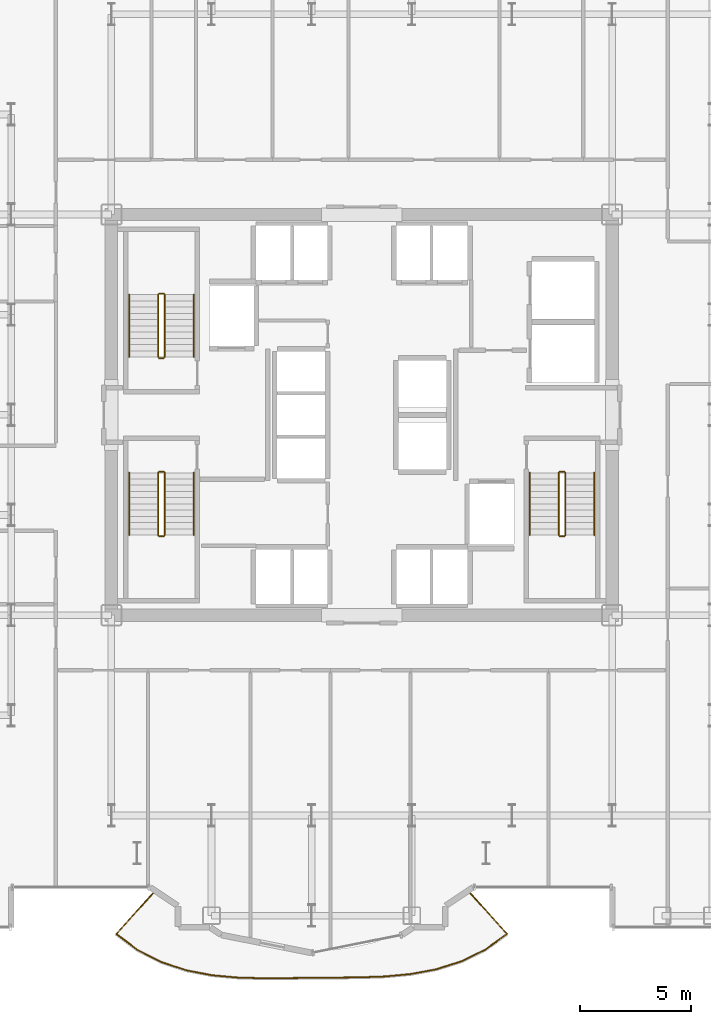
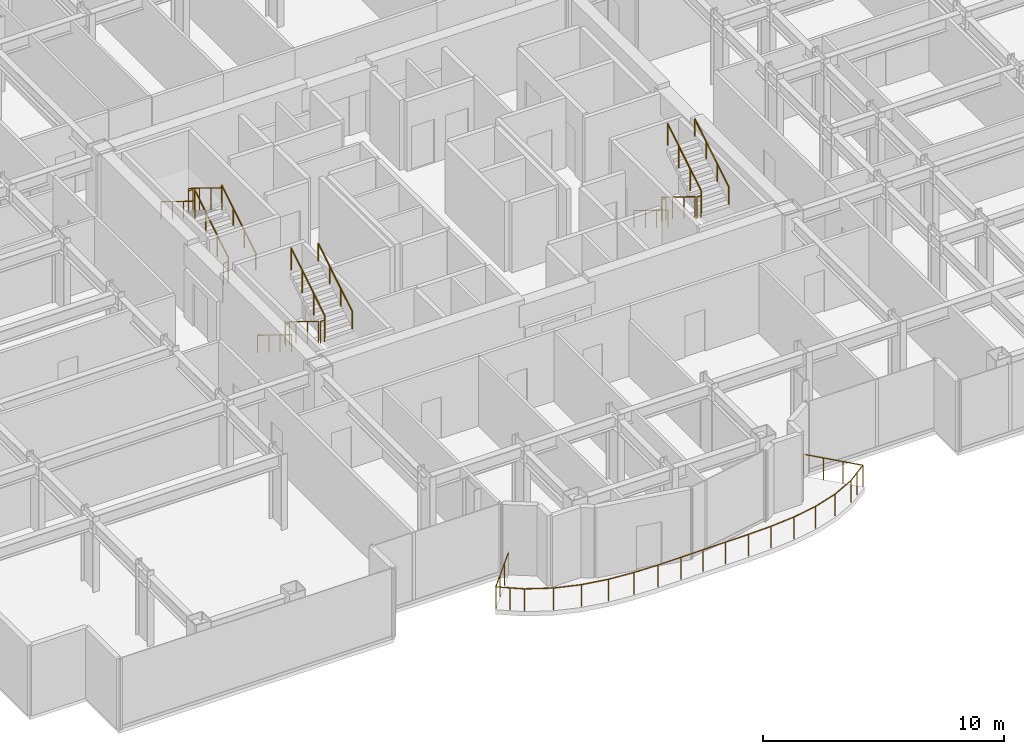
# One storey, part 28 of 29: 19 railings.
"""IFC4 building model written with IfcOpenShell, lengths in metres."""

from ifc_helpers import new_model, si_unit, direction, frame, origin, origin_2d, place, context, subcontext, project, spatial, circle, extrude, material, type_object, element, save


model = new_model("IFC4")

# Units and contexts
model_context = context("Model", 3, precision=1e-05, world=origin(), true_north=direction((0.0, 1.0)))
body_context = subcontext(model_context, "Body", "Model", "MODEL_VIEW")
ifc_project = project(units=[si_unit("LENGTHUNIT", "METRE"), si_unit("AREAUNIT", "SQUARE_METRE"), si_unit("VOLUMEUNIT", "CUBIC_METRE"), si_unit("PLANEANGLEUNIT", "RADIAN"), si_unit("MASSUNIT", "GRAM", prefix="KILO")], contexts=[model_context])

# Site, building, storey
site_placement = place(None, origin())
site = spatial("IfcSite", under=ifc_project, at=site_placement, CompositionType="ELEMENT")
building_placement = place(site_placement, origin())
building = spatial("IfcBuilding", under=site, at=building_placement, Name="Nefas-Gora Pilgrimage Tower", CompositionType="ELEMENT")
storey_placement = place(building_placement, frame((0.0, 0.0, 113.60009765625)))
storey = spatial("IfcBuildingStorey", under=building, at=storey_placement, Name="L27", CompositionType="ELEMENT", Elevation=113.60009765625)

# Railings
ifc_material_1 = material(Name="Laminated safety glass and stainless steel", Category="steel")
railing_type_1 = type_object("IfcRailingType", Name="RLG-BAL-1100", PredefinedType="BALUSTRADE", material=ifc_material_1)
railing_1_placement = place(storey_placement, frame((-9.302490234375, -21.402587890625, 0.0)))
element("IfcRailing", 1, at=railing_1_placement, inside=storey, type_object=railing_type_1, Name="L27 Wave Balcony Balustrade S2", PredefinedType="BALUSTRADE", context=body_context, shape_type="SweptSolid", body=[
    extrude(circle(Radius=0.02392578125, at=origin_2d()), frame((0.0, 0.0, 1.09619140625), z_axis=(-0.669142449017, -0.743134162129, 0.0), x_axis=(0.743134162129, -0.669142449017, 0.0)), (0.0, 0.0, 1.0), 2.580322265625),
    extrude(circle(Radius=0.02392578125, at=origin_2d()), frame((-1.7265625, -1.91748046875, 1.09619140625), z_axis=(0.799609380454, -0.600520473164, 0.0), x_axis=(0.600520473164, 0.799609380454, 0.0)), (0.0, 0.0, 1.0), 1.200439453125),
    extrude(circle(Radius=0.02392578125, at=origin_2d()), frame((-0.7666015625, -2.638427734375, 1.09619140625), z_axis=(0.890733279512, -0.45452637412, 0.0), x_axis=(0.45452637412, 0.890733279512, 0.0)), (0.0, 0.0, 1.0), 1.199462890625),
    extrude(circle(Radius=0.02392578125, at=origin_2d()), frame((0.3017578125, -3.18359375, 1.09619140625), z_axis=(0.950145160324, -0.311807912523, 0.0), x_axis=(0.311807912523, 0.950145160324, 0.0)), (0.0, 0.0, 1.0), 1.194091796875),
    extrude(circle(Radius=0.02392578125, at=origin_2d()), frame((1.436279296875, -3.555908203125, 1.09619140625), z_axis=(0.982457799544, -0.186485045284, 0.0), x_axis=(0.186485045284, 0.982457799544, 0.0)), (0.0, 0.0, 1.0), 1.180908203125),
    extrude(circle(Radius=0.02392578125, at=origin_2d()), frame((2.596435546875, -3.776123046875, 1.09619140625), z_axis=(0.996011638398, -0.089223405981, 0.0), x_axis=(0.089223405981, 0.996011638398, 0.0)), (0.0, 0.0, 1.0), 1.157470703125),
    extrude(circle(Radius=0.02392578125, at=origin_2d()), frame((3.749267578125, -3.87939453125, 1.09619140625), z_axis=(0.99967356135, -0.025549378436, 0.0), x_axis=(0.025549378436, 0.99967356135, 0.0)), (0.0, 0.0, 1.0), 1.127685546875),
    extrude(circle(Radius=0.02392578125, at=origin_2d()), frame((4.87646484375, -3.908203125, 1.09619140625), z_axis=(0.999980616702, 0.00622625245, 0.0), x_axis=(-0.00622625245, 0.999980616702, 0.0)), (0.0, 0.0, 1.0), 1.097900390625),
    extrude(circle(Radius=0.02392578125, at=origin_2d()), frame((5.974365234375, -3.9013671875, 1.09619140625), z_axis=(0.99992244912, 0.012453744271, 0.0), x_axis=(-0.012453744271, 0.99992244912, 0.0)), (0.0, 0.0, 1.0), 1.078125),
    extrude(circle(Radius=0.02392578125, at=origin_2d()), frame((7.052490234375, -3.887939453125, 1.09619140625), z_axis=(0.999968478826, 0.007939858611, 0.0), x_axis=(-0.007939858611, 0.999968478826, 0.0)), (0.0, 0.0, 1.0), 1.076171875),
    extrude(circle(Radius=0.02392578125, at=origin_2d()), frame((8.128662109375, -3.87939453125, 1.09619140625), z_axis=(0.999947171878, 0.010278786571, 0.0), x_axis=(-0.010278786571, 0.999947171878, 0.0)), (0.0, 0.0, 1.0), 1.092529296875),
    extrude(circle(Radius=0.02392578125, at=origin_2d()), frame((9.22119140625, -3.8681640625, 1.09619140625), z_axis=(0.99936174395, 0.03572260811, 0.0), x_axis=(-0.03572260811, 0.99936174395, 0.0)), (0.0, 0.0, 1.0), 1.120849609375),
    extrude(circle(Radius=0.02392578125, at=origin_2d()), frame((10.34130859375, -3.828125, 1.09619140625), z_axis=(0.995737068409, 0.092237143262, 0.0), x_axis=(-0.092237143262, 0.995737068409, 0.0)), (0.0, 0.0, 1.0), 1.1513671875),
    extrude(circle(Radius=0.02392578125, at=origin_2d()), frame((11.48779296875, -3.721923828125, 1.09619140625), z_axis=(0.983222780011, 0.182408785063, 0.0), x_axis=(-0.182408785063, 0.983222780011, 0.0)), (0.0, 0.0, 1.0), 1.176513671875),
    extrude(circle(Radius=0.02392578125, at=origin_2d()), frame((12.64453125, -3.50732421875, 1.09619140625), z_axis=(0.953347137132, 0.301876193369, 0.0), x_axis=(-0.301876193369, 0.953347137132, 0.0)), (0.0, 0.0, 1.0), 1.192138671875),
    extrude(circle(Radius=0.02392578125, at=origin_2d()), frame((13.781005859375, -3.1474609375, 1.09619140625), z_axis=(0.8975416003, 0.440929785489, 0.0), x_axis=(-0.440929785489, 0.8975416003, 0.0)), (0.0, 0.0, 1.0), 1.19873046875),
    extrude(circle(Radius=0.02392578125, at=origin_2d()), frame((14.85693359375, -2.618896484375, 1.09619140625), z_axis=(0.81049147795, 0.58575042823, 0.0), x_axis=(-0.58575042823, 0.81049147795, 0.0)), (0.0, 0.0, 1.0), 1.200439453125),
    extrude(circle(Radius=0.02392578125, at=origin_2d()), frame((15.829833984375, -1.915771484375, 1.09619140625), z_axis=(-0.669105995394, 0.743166984552, 0.0), x_axis=(-0.743166984552, -0.669105995394, 0.0)), (0.0, 0.0, 1.0), 2.577880859375),
    extrude(circle(Radius=0.02099609375, at=origin_2d()), origin(), (0.0, 0.0, 1.0), 1.072021484375),
    extrude(circle(Radius=0.02099609375, at=origin_2d()), frame((-0.575439453125, -0.63916015625, 0.0)), (0.0, 0.0, 1.0), 1.072021484375),
    extrude(circle(Radius=0.02099609375, at=origin_2d()), frame((-1.151123046875, -1.2783203125, 0.0)), (0.0, 0.0, 1.0), 1.072021484375),
    extrude(circle(Radius=0.02099609375, at=origin_2d()), frame((-1.7265625, -1.91748046875, 0.0)), (0.0, 0.0, 1.0), 1.072021484375),
    extrude(circle(Radius=0.02099609375, at=origin_2d()), frame((-1.24658203125, -2.27783203125, 0.0)), (0.0, 0.0, 1.0), 1.072021484375),
    extrude(circle(Radius=0.02099609375, at=origin_2d()), frame((-0.7666015625, -2.638427734375, 0.0)), (0.0, 0.0, 1.0), 1.072021484375),
    extrude(circle(Radius=0.02099609375, at=origin_2d()), frame((0.3017578125, -3.18359375, 0.0)), (0.0, 0.0, 1.0), 1.072021484375),
    extrude(circle(Radius=0.02099609375, at=origin_2d()), frame((1.436279296875, -3.555908203125, 0.0)), (0.0, 0.0, 1.0), 1.072021484375),
    extrude(circle(Radius=0.02099609375, at=origin_2d()), frame((2.596435546875, -3.776123046875, 0.0)), (0.0, 0.0, 1.0), 1.072021484375),
    extrude(circle(Radius=0.02099609375, at=origin_2d()), frame((3.749267578125, -3.87939453125, 0.0)), (0.0, 0.0, 1.0), 1.072021484375),
    extrude(circle(Radius=0.02099609375, at=origin_2d()), frame((4.87646484375, -3.908203125, 0.0)), (0.0, 0.0, 1.0), 1.072021484375),
    extrude(circle(Radius=0.02099609375, at=origin_2d()), frame((5.974365234375, -3.9013671875, 0.0)), (0.0, 0.0, 1.0), 1.072021484375),
    extrude(circle(Radius=0.02099609375, at=origin_2d()), frame((7.052490234375, -3.887939453125, 0.0)), (0.0, 0.0, 1.0), 1.072021484375),
    extrude(circle(Radius=0.02099609375, at=origin_2d()), frame((8.128662109375, -3.87939453125, 0.0)), (0.0, 0.0, 1.0), 1.072021484375),
    extrude(circle(Radius=0.02099609375, at=origin_2d()), frame((9.22119140625, -3.8681640625, 0.0)), (0.0, 0.0, 1.0), 1.072021484375),
    extrude(circle(Radius=0.02099609375, at=origin_2d()), frame((10.34130859375, -3.828125, 0.0)), (0.0, 0.0, 1.0), 1.072021484375),
    extrude(circle(Radius=0.02099609375, at=origin_2d()), frame((11.48779296875, -3.721923828125, 0.0)), (0.0, 0.0, 1.0), 1.072021484375),
    extrude(circle(Radius=0.02099609375, at=origin_2d()), frame((12.64453125, -3.50732421875, 0.0)), (0.0, 0.0, 1.0), 1.072021484375),
    extrude(circle(Radius=0.02099609375, at=origin_2d()), frame((13.781005859375, -3.1474609375, 0.0)), (0.0, 0.0, 1.0), 1.072021484375),
    extrude(circle(Radius=0.02099609375, at=origin_2d()), frame((14.85693359375, -2.618896484375, 0.0)), (0.0, 0.0, 1.0), 1.072021484375),
    extrude(circle(Radius=0.02099609375, at=origin_2d()), frame((15.34326171875, -2.267333984375, 0.0)), (0.0, 0.0, 1.0), 1.072021484375),
    extrude(circle(Radius=0.02099609375, at=origin_2d()), frame((15.829833984375, -1.915771484375, 0.0)), (0.0, 0.0, 1.0), 1.072021484375),
    extrude(circle(Radius=0.02099609375, at=origin_2d()), frame((15.2548828125, -1.277099609375, 0.0)), (0.0, 0.0, 1.0), 1.072021484375),
    extrude(circle(Radius=0.02099609375, at=origin_2d()), frame((14.679931640625, -0.638671875, 0.0)), (0.0, 0.0, 1.0), 1.072021484375),
    extrude(circle(Radius=0.02099609375, at=origin_2d()), frame((14.10498046875, 0.0, 0.0)), (0.0, 0.0, 1.0), 1.072021484375),
])
ifc_material_2 = material(Name="Painted galvanised steel", Category="steel")
railing_type_2 = type_object("IfcRailingType", Name="RLG-STR-GUARD-1100", PredefinedType="GUARDRAIL", material=ifc_material_2)
railing_2_placement = place(storey_placement, frame((-8.85009765625, 2.60009765625, 0.172607421875)))
element("IfcRailing", 2, at=railing_2_placement, inside=storey, type_object=railing_type_2, Name="L27 ST-01 stair guard 1", PredefinedType="GUARDRAIL", context=body_context, shape_type="SweptSolid", body=[
    extrude(circle(Radius=0.02392578125, at=origin_2d()), frame((0.0, 0.0, 1.09619140625), z_axis=(0.0, 0.851069175582, 0.525053576669), x_axis=(-1.0, 0.0, 0.0)), (0.0, 0.0, 1.0), 3.289794921875),
    extrude(circle(Radius=0.02099609375, at=origin_2d()), origin(), (0.0, 0.0, 1.0), 1.072021484375),
    extrude(circle(Radius=0.02099609375, at=origin_2d()), frame((0.0, 0.933349609375, 0.57568359375)), (0.0, 0.0, 1.0), 1.072021484375),
    extrude(circle(Radius=0.02099609375, at=origin_2d()), frame((0.0, 1.866455078125, 1.151611328125)), (0.0, 0.0, 1.0), 1.072021484375),
    extrude(circle(Radius=0.02099609375, at=origin_2d()), frame((0.0, 2.7998046875, 1.727294921875)), (0.0, 0.0, 1.0), 1.072021484375),
])
railing_3_placement = place(storey_placement, frame((-8.89990234375, 5.449951171875, 1.89990234375)))
element("IfcRailing", 3, at=railing_3_placement, inside=storey, type_object=railing_type_2, Name="L27 ST-01 stair guard 2", PredefinedType="GUARDRAIL", context=body_context, shape_type="SweptSolid", body=[
    extrude(circle(Radius=0.02392578125, at=origin_2d()), frame((0.0, 0.0, 1.09619140625), z_axis=(-1.0, 0.0, 0.0), x_axis=(0.0, -1.0, 0.0)), (0.0, 0.0, 1.0), 0.2001953125),
    extrude(circle(Radius=0.02099609375, at=origin_2d()), origin(), (0.0, 0.0, 1.0), 1.072021484375),
    extrude(circle(Radius=0.02099609375, at=origin_2d()), frame((-0.2001953125, 0.0, 0.0)), (0.0, 0.0, 1.0), 1.072021484375),
])
railing_4_placement = place(storey_placement, frame((-9.14990234375, 5.39990234375, 2.072509765625)))
element("IfcRailing", 4, at=railing_4_placement, inside=storey, type_object=railing_type_2, Name="L27 ST-01 stair guard 3", PredefinedType="GUARDRAIL", context=body_context, shape_type="SweptSolid", body=[
    extrude(circle(Radius=0.02392578125, at=origin_2d()), frame((0.0, 0.0, 1.09619140625), z_axis=(0.0, -0.851069175582, 0.525053576669), x_axis=(1.0, 0.0, 0.0)), (0.0, 0.0, 1.0), 3.289794921875),
    extrude(circle(Radius=0.02099609375, at=origin_2d()), origin(), (0.0, 0.0, 1.0), 1.072021484375),
    extrude(circle(Radius=0.02099609375, at=origin_2d()), frame((0.0, -0.933349609375, 0.57568359375)), (0.0, 0.0, 1.0), 1.072021484375),
    extrude(circle(Radius=0.02099609375, at=origin_2d()), frame((0.0, -1.866455078125, 1.151611328125)), (0.0, 0.0, 1.0), 1.072021484375),
    extrude(circle(Radius=0.02099609375, at=origin_2d()), frame((0.0, -2.7998046875, 1.727294921875)), (0.0, 0.0, 1.0), 1.072021484375),
])
railing_5_placement = place(storey_placement, frame((-8.89990234375, 2.550048828125, 0.0)))
element("IfcRailing", 5, at=railing_5_placement, inside=storey, type_object=railing_type_2, Name="L27 ST-01 stair guard 4", PredefinedType="GUARDRAIL", context=body_context, shape_type="SweptSolid", body=[
    extrude(circle(Radius=0.02392578125, at=origin_2d()), frame((0.0, 0.0, 1.09619140625), z_axis=(-1.0, 0.0, 0.0), x_axis=(0.0, -1.0, 0.0)), (0.0, 0.0, 1.0), 0.2001953125),
    extrude(circle(Radius=0.02099609375, at=origin_2d()), origin(), (0.0, 0.0, 1.0), 1.072021484375),
    extrude(circle(Radius=0.02099609375, at=origin_2d()), frame((-0.2001953125, 0.0, 0.0)), (0.0, 0.0, 1.0), 1.072021484375),
])
railing_6_placement = place(storey_placement, frame((8.85009765625, -2.60009765625, 0.172607421875)))
element("IfcRailing", 6, at=railing_6_placement, inside=storey, type_object=railing_type_2, Name="L27 ST-02 stair guard 1", PredefinedType="GUARDRAIL", context=body_context, shape_type="SweptSolid", body=[
    extrude(circle(Radius=0.02392578125, at=origin_2d()), frame((0.0, 0.0, 1.09619140625), z_axis=(0.0, -0.851069175582, 0.525053576669), x_axis=(1.0, 0.0, 0.0)), (0.0, 0.0, 1.0), 3.289794921875),
    extrude(circle(Radius=0.02099609375, at=origin_2d()), origin(), (0.0, 0.0, 1.0), 1.072021484375),
    extrude(circle(Radius=0.02099609375, at=origin_2d()), frame((0.0, -0.933349609375, 0.57568359375)), (0.0, 0.0, 1.0), 1.072021484375),
    extrude(circle(Radius=0.02099609375, at=origin_2d()), frame((0.0, -1.866455078125, 1.151611328125)), (0.0, 0.0, 1.0), 1.072021484375),
    extrude(circle(Radius=0.02099609375, at=origin_2d()), frame((0.0, -2.7998046875, 1.727294921875)), (0.0, 0.0, 1.0), 1.072021484375),
])
railing_7_placement = place(storey_placement, frame((8.89990234375, -5.449951171875, 1.89990234375)))
element("IfcRailing", 7, at=railing_7_placement, inside=storey, type_object=railing_type_2, Name="L27 ST-02 stair guard 2", PredefinedType="GUARDRAIL", context=body_context, shape_type="SweptSolid", body=[
    extrude(circle(Radius=0.02392578125, at=origin_2d()), frame((0.0, 0.0, 1.09619140625), z_axis=(1.0, 0.0, 0.0), x_axis=(0.0, 1.0, 0.0)), (0.0, 0.0, 1.0), 0.2001953125),
    extrude(circle(Radius=0.02099609375, at=origin_2d()), origin(), (0.0, 0.0, 1.0), 1.072021484375),
    extrude(circle(Radius=0.02099609375, at=origin_2d()), frame((0.2001953125, 0.0, 0.0)), (0.0, 0.0, 1.0), 1.072021484375),
])
railing_8_placement = place(storey_placement, frame((9.14990234375, -5.39990234375, 2.072509765625)))
element("IfcRailing", 8, at=railing_8_placement, inside=storey, type_object=railing_type_2, Name="L27 ST-02 stair guard 3", PredefinedType="GUARDRAIL", context=body_context, shape_type="SweptSolid", body=[
    extrude(circle(Radius=0.02392578125, at=origin_2d()), frame((0.0, 0.0, 1.09619140625), z_axis=(0.0, 0.851069175582, 0.525053576669), x_axis=(-1.0, 0.0, 0.0)), (0.0, 0.0, 1.0), 3.289794921875),
    extrude(circle(Radius=0.02099609375, at=origin_2d()), origin(), (0.0, 0.0, 1.0), 1.072021484375),
    extrude(circle(Radius=0.02099609375, at=origin_2d()), frame((0.0, 0.933349609375, 0.57568359375)), (0.0, 0.0, 1.0), 1.072021484375),
    extrude(circle(Radius=0.02099609375, at=origin_2d()), frame((0.0, 1.866455078125, 1.151611328125)), (0.0, 0.0, 1.0), 1.072021484375),
    extrude(circle(Radius=0.02099609375, at=origin_2d()), frame((0.0, 2.7998046875, 1.727294921875)), (0.0, 0.0, 1.0), 1.072021484375),
])
railing_9_placement = place(storey_placement, frame((8.89990234375, -2.550048828125, 0.0)))
element("IfcRailing", 9, at=railing_9_placement, inside=storey, type_object=railing_type_2, Name="L27 ST-02 stair guard 4", PredefinedType="GUARDRAIL", context=body_context, shape_type="SweptSolid", body=[
    extrude(circle(Radius=0.02392578125, at=origin_2d()), frame((0.0, 0.0, 1.09619140625), z_axis=(1.0, 0.0, 0.0), x_axis=(0.0, 1.0, 0.0)), (0.0, 0.0, 1.0), 0.2001953125),
    extrude(circle(Radius=0.02099609375, at=origin_2d()), origin(), (0.0, 0.0, 1.0), 1.072021484375),
    extrude(circle(Radius=0.02099609375, at=origin_2d()), frame((0.2001953125, 0.0, 0.0)), (0.0, 0.0, 1.0), 1.072021484375),
])
railing_10_placement = place(storey_placement, frame((-9.14990234375, -2.60009765625, 0.172607421875)))
element("IfcRailing", 10, at=railing_10_placement, inside=storey, type_object=railing_type_2, Name="L27 ST-03 stair guard 1", PredefinedType="GUARDRAIL", context=body_context, shape_type="SweptSolid", body=[
    extrude(circle(Radius=0.02392578125, at=origin_2d()), frame((0.0, 0.0, 1.09619140625), z_axis=(0.0, -0.851069175582, 0.525053576669), x_axis=(1.0, 0.0, 0.0)), (0.0, 0.0, 1.0), 3.289794921875),
    extrude(circle(Radius=0.02099609375, at=origin_2d()), origin(), (0.0, 0.0, 1.0), 1.072021484375),
    extrude(circle(Radius=0.02099609375, at=origin_2d()), frame((0.0, -0.933349609375, 0.57568359375)), (0.0, 0.0, 1.0), 1.072021484375),
    extrude(circle(Radius=0.02099609375, at=origin_2d()), frame((0.0, -1.866455078125, 1.151611328125)), (0.0, 0.0, 1.0), 1.072021484375),
    extrude(circle(Radius=0.02099609375, at=origin_2d()), frame((0.0, -2.7998046875, 1.727294921875)), (0.0, 0.0, 1.0), 1.072021484375),
])
railing_11_placement = place(storey_placement, frame((-9.10009765625, -5.449951171875, 1.89990234375)))
element("IfcRailing", 11, at=railing_11_placement, inside=storey, type_object=railing_type_2, Name="L27 ST-03 stair guard 2", PredefinedType="GUARDRAIL", context=body_context, shape_type="SweptSolid", body=[
    extrude(circle(Radius=0.02392578125, at=origin_2d()), frame((0.0, 0.0, 1.09619140625), z_axis=(1.0, 0.0, 0.0), x_axis=(0.0, 1.0, 0.0)), (0.0, 0.0, 1.0), 0.2001953125),
    extrude(circle(Radius=0.02099609375, at=origin_2d()), origin(), (0.0, 0.0, 1.0), 1.072021484375),
    extrude(circle(Radius=0.02099609375, at=origin_2d()), frame((0.2001953125, 0.0, 0.0)), (0.0, 0.0, 1.0), 1.072021484375),
])
railing_12_placement = place(storey_placement, frame((-8.85009765625, -5.39990234375, 2.072509765625)))
element("IfcRailing", 12, at=railing_12_placement, inside=storey, type_object=railing_type_2, Name="L27 ST-03 stair guard 3", PredefinedType="GUARDRAIL", context=body_context, shape_type="SweptSolid", body=[
    extrude(circle(Radius=0.02392578125, at=origin_2d()), frame((0.0, 0.0, 1.09619140625), z_axis=(0.0, 0.851069175582, 0.525053576669), x_axis=(-1.0, 0.0, 0.0)), (0.0, 0.0, 1.0), 3.289794921875),
    extrude(circle(Radius=0.02099609375, at=origin_2d()), origin(), (0.0, 0.0, 1.0), 1.072021484375),
    extrude(circle(Radius=0.02099609375, at=origin_2d()), frame((0.0, 0.933349609375, 0.57568359375)), (0.0, 0.0, 1.0), 1.072021484375),
    extrude(circle(Radius=0.02099609375, at=origin_2d()), frame((0.0, 1.866455078125, 1.151611328125)), (0.0, 0.0, 1.0), 1.072021484375),
    extrude(circle(Radius=0.02099609375, at=origin_2d()), frame((0.0, 2.7998046875, 1.727294921875)), (0.0, 0.0, 1.0), 1.072021484375),
])
railing_13_placement = place(storey_placement, frame((-9.10009765625, -2.550048828125, 0.0)))
element("IfcRailing", 13, at=railing_13_placement, inside=storey, type_object=railing_type_2, Name="L27 ST-03 stair guard 4", PredefinedType="GUARDRAIL", context=body_context, shape_type="SweptSolid", body=[
    extrude(circle(Radius=0.02392578125, at=origin_2d()), frame((0.0, 0.0, 1.09619140625), z_axis=(1.0, 0.0, 0.0), x_axis=(0.0, 1.0, 0.0)), (0.0, 0.0, 1.0), 0.2001953125),
    extrude(circle(Radius=0.02099609375, at=origin_2d()), origin(), (0.0, 0.0, 1.0), 1.072021484375),
    extrude(circle(Radius=0.02099609375, at=origin_2d()), frame((0.2001953125, 0.0, 0.0)), (0.0, 0.0, 1.0), 1.072021484375),
])
ifc_material_3 = material(Name="Brushed stainless steel", Category="steel")
railing_type_3 = type_object("IfcRailingType", Name="RLG-STR-HAND-900", PredefinedType="HANDRAIL", material=ifc_material_3)
railing_14_placement = place(storey_placement, frame((-7.550048828125, 2.60009765625, 0.172607421875)))
element("IfcRailing", 14, at=railing_14_placement, inside=storey, type_object=railing_type_3, Name="L27 ST-01 stair handrail 1", PredefinedType="HANDRAIL", context=body_context, shape_type="SweptSolid", body=[
    extrude(circle(Radius=0.02392578125, at=origin_2d()), frame((0.0, 0.0, 0.8759765625), z_axis=(0.0, 0.851069175582, 0.525053576669), x_axis=(-1.0, 0.0, 0.0)), (0.0, 0.0, 1.0), 3.289794921875),
    extrude(circle(Radius=0.02099609375, at=origin_2d()), origin(), (0.0, 0.0, 1.0), 0.851806640625),
    extrude(circle(Radius=0.02099609375, at=origin_2d()), frame((0.0, 0.933349609375, 0.57568359375)), (0.0, 0.0, 1.0), 0.851806640625),
    extrude(circle(Radius=0.02099609375, at=origin_2d()), frame((0.0, 1.866455078125, 1.151611328125)), (0.0, 0.0, 1.0), 0.851806640625),
    extrude(circle(Radius=0.02099609375, at=origin_2d()), frame((0.0, 2.7998046875, 1.727294921875)), (0.0, 0.0, 1.0), 0.851806640625),
])
for number, where, name in (
    (15, (-10.449951171875, 5.39990234375, 2.072509765625), "L27 ST-01 stair handrail 2"),
    (16, (7.550048828125, -2.60009765625, 0.172607421875), "L27 ST-02 stair handrail 1"),
):
    element("IfcRailing", number, at=place(storey_placement, frame(where)), inside=storey, type_object=railing_type_3, Name=name, PredefinedType="HANDRAIL", context=body_context, shape_type="SweptSolid", body=[
        extrude(circle(Radius=0.02392578125, at=origin_2d()), frame((0.0, 0.0, 0.8759765625), z_axis=(0.0, -0.851069175582, 0.525053576669), x_axis=(1.0, 0.0, 0.0)), (0.0, 0.0, 1.0), 3.289794921875),
        extrude(circle(Radius=0.02099609375, at=origin_2d()), origin(), (0.0, 0.0, 1.0), 0.851806640625),
        extrude(circle(Radius=0.02099609375, at=origin_2d()), frame((0.0, -0.933349609375, 0.57568359375)), (0.0, 0.0, 1.0), 0.851806640625),
        extrude(circle(Radius=0.02099609375, at=origin_2d()), frame((0.0, -1.866455078125, 1.151611328125)), (0.0, 0.0, 1.0), 0.851806640625),
        extrude(circle(Radius=0.02099609375, at=origin_2d()), frame((0.0, -2.7998046875, 1.727294921875)), (0.0, 0.0, 1.0), 0.851806640625),
    ])
railing_15_placement = place(storey_placement, frame((10.449951171875, -5.39990234375, 2.072509765625)))
element("IfcRailing", 17, at=railing_15_placement, inside=storey, type_object=railing_type_3, Name="L27 ST-02 stair handrail 2", PredefinedType="HANDRAIL", context=body_context, shape_type="SweptSolid", body=[
    extrude(circle(Radius=0.02392578125, at=origin_2d()), frame((0.0, 0.0, 0.8759765625), z_axis=(0.0, 0.851069175582, 0.525053576669), x_axis=(-1.0, 0.0, 0.0)), (0.0, 0.0, 1.0), 3.289794921875),
    extrude(circle(Radius=0.02099609375, at=origin_2d()), origin(), (0.0, 0.0, 1.0), 0.851806640625),
    extrude(circle(Radius=0.02099609375, at=origin_2d()), frame((0.0, 0.933349609375, 0.57568359375)), (0.0, 0.0, 1.0), 0.851806640625),
    extrude(circle(Radius=0.02099609375, at=origin_2d()), frame((0.0, 1.866455078125, 1.151611328125)), (0.0, 0.0, 1.0), 0.851806640625),
    extrude(circle(Radius=0.02099609375, at=origin_2d()), frame((0.0, 2.7998046875, 1.727294921875)), (0.0, 0.0, 1.0), 0.851806640625),
])
railing_16_placement = place(storey_placement, frame((-10.449951171875, -2.60009765625, 0.172607421875)))
element("IfcRailing", 18, at=railing_16_placement, inside=storey, type_object=railing_type_3, Name="L27 ST-03 stair handrail 1", PredefinedType="HANDRAIL", context=body_context, shape_type="SweptSolid", body=[
    extrude(circle(Radius=0.02392578125, at=origin_2d()), frame((0.0, 0.0, 0.8759765625), z_axis=(0.0, -0.851069175582, 0.525053576669), x_axis=(1.0, 0.0, 0.0)), (0.0, 0.0, 1.0), 3.289794921875),
    extrude(circle(Radius=0.02099609375, at=origin_2d()), origin(), (0.0, 0.0, 1.0), 0.851806640625),
    extrude(circle(Radius=0.02099609375, at=origin_2d()), frame((0.0, -0.933349609375, 0.57568359375)), (0.0, 0.0, 1.0), 0.851806640625),
    extrude(circle(Radius=0.02099609375, at=origin_2d()), frame((0.0, -1.866455078125, 1.151611328125)), (0.0, 0.0, 1.0), 0.851806640625),
    extrude(circle(Radius=0.02099609375, at=origin_2d()), frame((0.0, -2.7998046875, 1.727294921875)), (0.0, 0.0, 1.0), 0.851806640625),
])
railing_17_placement = place(storey_placement, frame((-7.550048828125, -5.39990234375, 2.072509765625)))
element("IfcRailing", 19, at=railing_17_placement, inside=storey, type_object=railing_type_3, Name="L27 ST-03 stair handrail 2", PredefinedType="HANDRAIL", context=body_context, shape_type="SweptSolid", body=[
    extrude(circle(Radius=0.02392578125, at=origin_2d()), frame((0.0, 0.0, 0.8759765625), z_axis=(0.0, 0.851069175582, 0.525053576669), x_axis=(-1.0, 0.0, 0.0)), (0.0, 0.0, 1.0), 3.289794921875),
    extrude(circle(Radius=0.02099609375, at=origin_2d()), origin(), (0.0, 0.0, 1.0), 0.851806640625),
    extrude(circle(Radius=0.02099609375, at=origin_2d()), frame((0.0, 0.933349609375, 0.57568359375)), (0.0, 0.0, 1.0), 0.851806640625),
    extrude(circle(Radius=0.02099609375, at=origin_2d()), frame((0.0, 1.866455078125, 1.151611328125)), (0.0, 0.0, 1.0), 0.851806640625),
    extrude(circle(Radius=0.02099609375, at=origin_2d()), frame((0.0, 2.7998046875, 1.727294921875)), (0.0, 0.0, 1.0), 0.851806640625),
])

save(model, "model.ifc")
